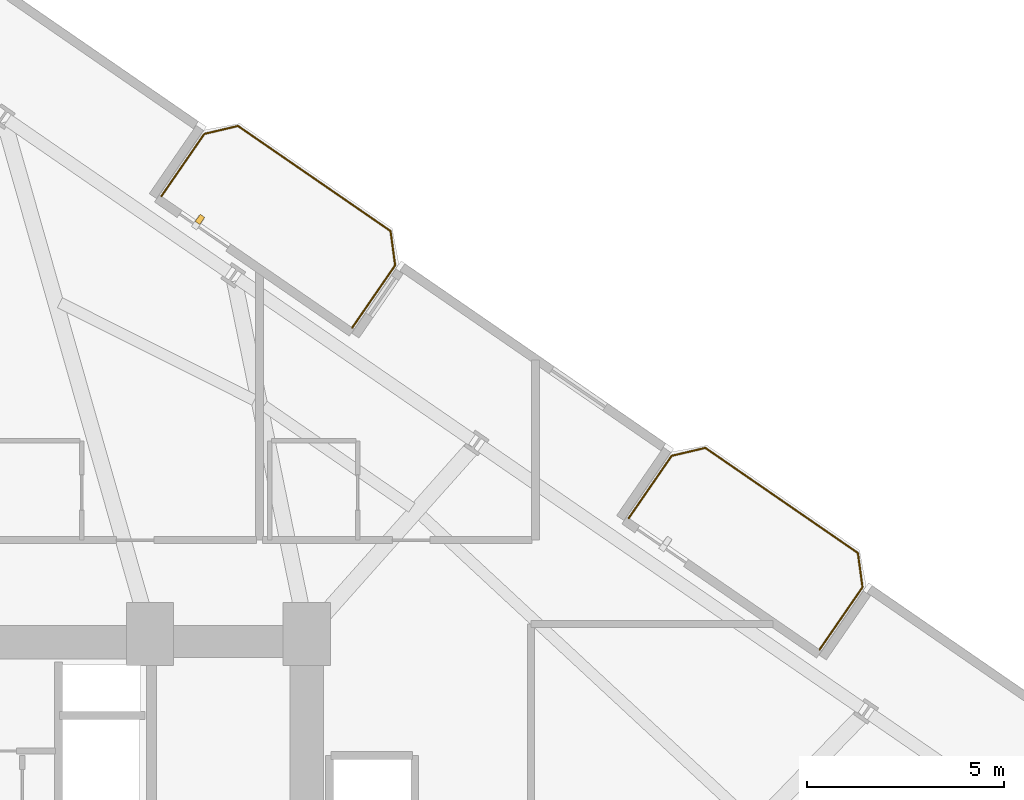
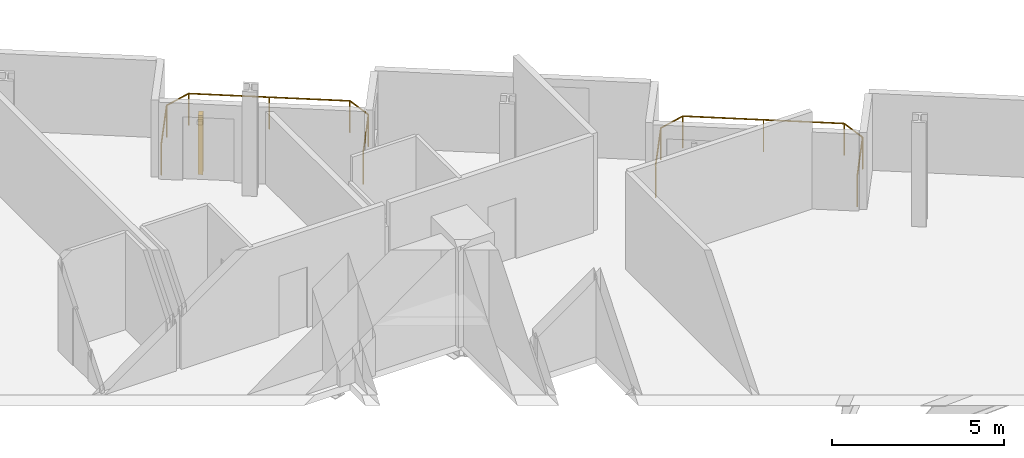
# One storey, part 27 of 27: 2 railings, 1 shading device.
"""IFC4 building model written with IfcOpenShell, lengths in metres."""

from ifc_helpers import new_model, si_unit, direction, frame, origin, origin_2d, place, context, subcontext, project, spatial, rectangle, circle, extrude, source, transform, mapped, material, type_object, element, save


model = new_model("IFC4")

# Units and contexts
model_context = context("Model", 3, precision=1e-05, world=origin(), true_north=direction((0.0, 1.0)))
body_context = subcontext(model_context, "Body", "Model", "MODEL_VIEW")
ifc_project = project(units=[si_unit("LENGTHUNIT", "METRE"), si_unit("AREAUNIT", "SQUARE_METRE"), si_unit("VOLUMEUNIT", "CUBIC_METRE"), si_unit("PLANEANGLEUNIT", "RADIAN"), si_unit("MASSUNIT", "GRAM", prefix="KILO")], contexts=[model_context])

# Site, building, storey
site_placement = place(None, origin())
site = spatial("IfcSite", under=ifc_project, at=site_placement, CompositionType="ELEMENT")
building_placement = place(site_placement, origin())
building = spatial("IfcBuilding", under=site, at=building_placement, Name="Varnelok Gate Tower", CompositionType="ELEMENT")
storey_placement = place(building_placement, frame((0.0, 0.0, 30.699951171875)))
storey = spatial("IfcBuildingStorey", under=building, at=storey_placement, Name="L06", CompositionType="ELEMENT", Elevation=30.699951171875)

# Railings
ifc_material_1 = material(Name="Low-E Laminated Double Glazing IGU", Category="glass")
railing_type = type_object("IfcRailingType", Name="RL-BALC-1150", PredefinedType="BALUSTRADE", material=ifc_material_1)
railing_1_placement = place(storey_placement, frame((44.010009765625, 50.158203125, 0.0)))
element("IfcRailing", 1, at=railing_1_placement, inside=storey, type_object=railing_type, Name="L06 North Terrace Balustrade 3", PredefinedType="BALUSTRADE", context=body_context, shape_type="SweptSolid", body=[
    extrude(circle(Radius=0.02392578125, at=origin_2d()), frame((0.0, 0.0, 1.1259765625), z_axis=(0.567284155424, 0.82352212296, 0.0), x_axis=(-0.82352212296, 0.567284155424, 0.0)), (0.0, 0.0, 1.0), 1.919921875),
    extrude(circle(Radius=0.02392578125, at=origin_2d()), frame((1.089111328125, 1.5810546875, 1.1259765625), z_axis=(0.973526462254, 0.228574336467, 0.0), x_axis=(-0.228574336467, 0.973526462254, 0.0)), (0.0, 0.0, 1.0), 0.8779296875),
    extrude(circle(Radius=0.02392578125, at=origin_2d()), frame((1.94384765625, 1.78173828125, 1.1259765625), z_axis=(0.823523239622, -0.567282534371, 0.0), x_axis=(0.567282534371, 0.823523239622, 0.0)), (0.0, 0.0, 1.0), 4.699951171875),
    extrude(circle(Radius=0.02392578125, at=origin_2d()), frame((5.814453125, -0.884521484375, 1.1259765625), z_axis=(0.133238627421, -0.991083986433, 0.0), x_axis=(0.991083986433, 0.133238627421, 0.0)), (0.0, 0.0, 1.0), 0.877685546875),
    extrude(circle(Radius=0.02392578125, at=origin_2d()), frame((5.931396484375, -1.75439453125, 1.1259765625), z_axis=(-0.567224752248, -0.823563039747, 0.0), x_axis=(0.823563039747, -0.567224752248, 0.0)), (0.0, 0.0, 1.0), 1.920166015625),
    extrude(circle(Radius=0.02099609375, at=origin_2d()), origin(), (0.0, 0.0, 1.0), 1.101806640625),
    extrude(circle(Radius=0.02099609375, at=origin_2d()), frame((1.089111328125, 1.5810546875, 0.0)), (0.0, 0.0, 1.0), 1.101806640625),
    extrude(circle(Radius=0.02099609375, at=origin_2d()), frame((1.94384765625, 1.78173828125, 0.0)), (0.0, 0.0, 1.0), 1.101806640625),
    extrude(circle(Radius=0.02099609375, at=origin_2d()), frame((3.879150390625, 0.44873046875, 0.0)), (0.0, 0.0, 1.0), 1.101806640625),
    extrude(circle(Radius=0.02099609375, at=origin_2d()), frame((5.814453125, -0.884521484375, 0.0)), (0.0, 0.0, 1.0), 1.101806640625),
    extrude(circle(Radius=0.02099609375, at=origin_2d()), frame((5.931396484375, -1.75439453125, 0.0)), (0.0, 0.0, 1.0), 1.101806640625),
    extrude(circle(Radius=0.02099609375, at=origin_2d()), frame((4.84228515625, -3.335693359375, 0.0)), (0.0, 0.0, 1.0), 1.101806640625),
])
railing_2_placement = place(storey_placement, frame((55.868896484375, 41.989501953125, 0.0)))
element("IfcRailing", 2, at=railing_2_placement, inside=storey, type_object=railing_type, Name="L06 North Terrace Balustrade 4", PredefinedType="BALUSTRADE", context=body_context, shape_type="SweptSolid", body=[
    extrude(circle(Radius=0.02392578125, at=origin_2d()), frame((0.0, 0.0, 1.1259765625), z_axis=(0.567284155424, 0.82352212296, 0.0), x_axis=(-0.82352212296, 0.567284155424, 0.0)), (0.0, 0.0, 1.0), 1.919921875),
    extrude(circle(Radius=0.02392578125, at=origin_2d()), frame((1.089111328125, 1.5810546875, 1.1259765625), z_axis=(0.973526462254, 0.228574336467, 0.0), x_axis=(-0.228574336467, 0.973526462254, 0.0)), (0.0, 0.0, 1.0), 0.8779296875),
    extrude(circle(Radius=0.02392578125, at=origin_2d()), frame((1.94384765625, 1.78173828125, 1.1259765625), z_axis=(0.823523239622, -0.567282534371, 0.0), x_axis=(0.567282534371, 0.823523239622, 0.0)), (0.0, 0.0, 1.0), 4.699951171875),
    extrude(circle(Radius=0.02392578125, at=origin_2d()), frame((5.814453125, -0.884521484375, 1.1259765625), z_axis=(0.133238627421, -0.991083986433, 0.0), x_axis=(0.991083986433, 0.133238627421, 0.0)), (0.0, 0.0, 1.0), 0.877685546875),
    extrude(circle(Radius=0.02392578125, at=origin_2d()), frame((5.931396484375, -1.75439453125, 1.1259765625), z_axis=(-0.567224752248, -0.823563039747, 0.0), x_axis=(0.823563039747, -0.567224752248, 0.0)), (0.0, 0.0, 1.0), 1.920166015625),
    extrude(circle(Radius=0.02099609375, at=origin_2d()), origin(), (0.0, 0.0, 1.0), 1.101806640625),
    extrude(circle(Radius=0.02099609375, at=origin_2d()), frame((1.089111328125, 1.5810546875, 0.0)), (0.0, 0.0, 1.0), 1.101806640625),
    extrude(circle(Radius=0.02099609375, at=origin_2d()), frame((1.94384765625, 1.78173828125, 0.0)), (0.0, 0.0, 1.0), 1.101806640625),
    extrude(circle(Radius=0.02099609375, at=origin_2d()), frame((3.879150390625, 0.44873046875, 0.0)), (0.0, 0.0, 1.0), 1.101806640625),
    extrude(circle(Radius=0.02099609375, at=origin_2d()), frame((5.814453125, -0.884521484375, 0.0)), (0.0, 0.0, 1.0), 1.101806640625),
    extrude(circle(Radius=0.02099609375, at=origin_2d()), frame((5.931396484375, -1.75439453125, 0.0)), (0.0, 0.0, 1.0), 1.101806640625),
    extrude(circle(Radius=0.02099609375, at=origin_2d()), frame((4.84228515625, -3.335693359375, 0.0)), (0.0, 0.0, 1.0), 1.101806640625),
])

# Shading device
ifc_material_2 = material(Name="Glazed Architectural Terracotta Ceramic", Category="masonry")
shading_device_type = type_object("IfcShadingDeviceType", Name="SHD-TERRA-BAGUETTE", PredefinedType="USERDEFINED", material=ifc_material_2)
shared_shape = source(origin(), body_context, "Body", "SweptSolid", [
    extrude(rectangle(XDim=0.139892578125, YDim=0.219970703125, at=origin_2d()), origin(), (0.0, 0.0, 1.0), 2.10009765625),
])
shading_device_placement = place(storey_placement, frame((44.988525390625, 49.569091796875, 0.10009765625), z_axis=(0.0, 0.0, 1.0), x_axis=(0.823532597628, -0.567268949127, 0.0)))
element("IfcShadingDevice", 3, at=shading_device_placement, inside=storey, type_object=shading_device_type, Name="L06 Terracotta Ceramic Baguette Sunscreen 3.1", ObjectType="BAGUETTE", PredefinedType="USERDEFINED", context=body_context, shape_type="MappedRepresentation", body=[
    mapped(shared_shape, transform((0.0, 0.0, 0.0), scale=1.0)),
])

save(model, "model.ifc")
